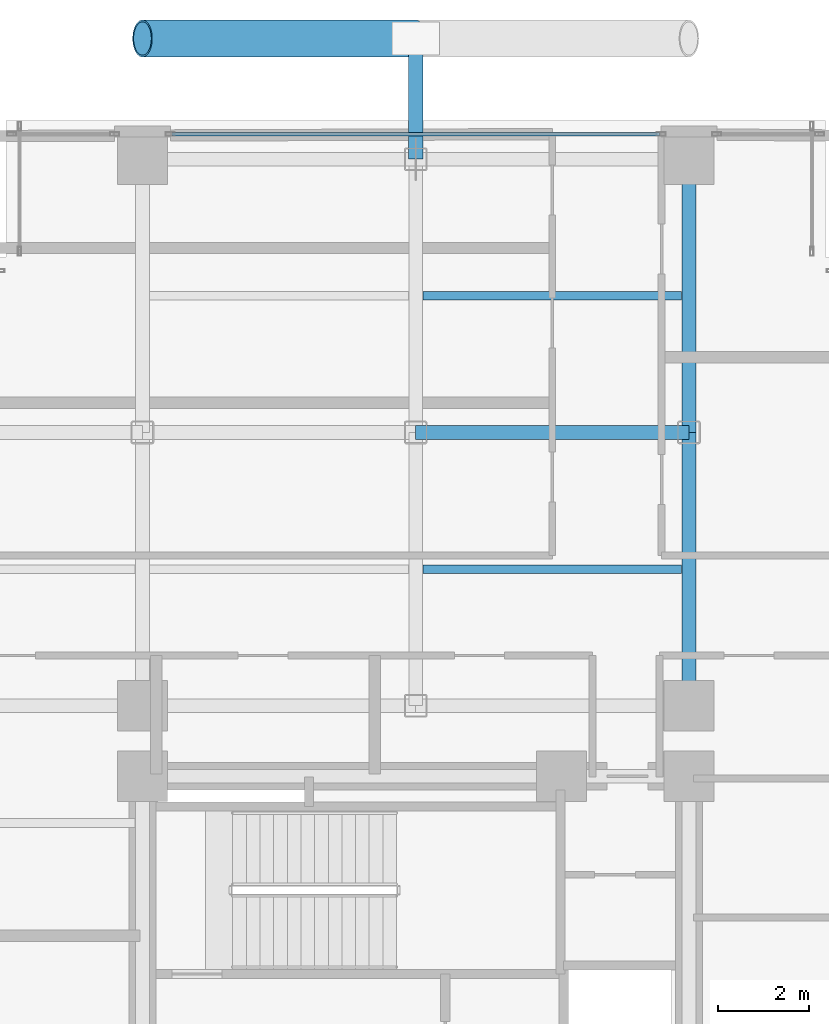
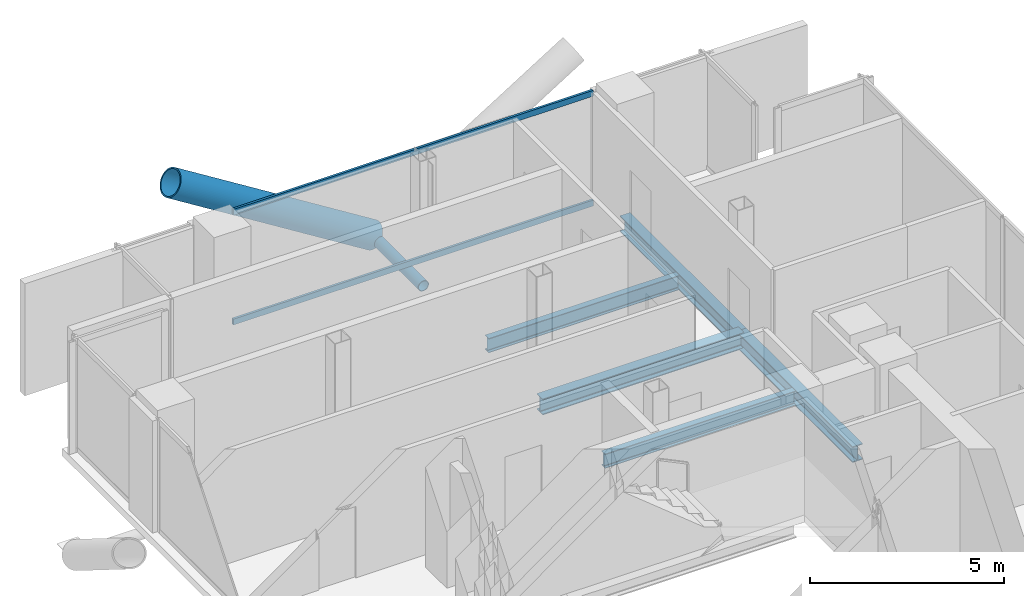
# One storey, part 15 of 24: 5 beams, 4 members, 1 element without a shape of its own.
"""IFC4 building model written with IfcOpenShell, lengths in metres."""

from ifc_helpers import new_model, si_unit, direction, frame, origin, origin_2d, place, context, subcontext, project, spatial, hollow_rectangle, hollow_circle, i_section, extrude, material, layer, layer_set, material_profile, profile_set, type_object, element, aggregate, save


model = new_model("IFC4")

# Units and contexts
model_context = context("Model", 3, precision=1e-05, world=origin(), true_north=direction((0.0, 1.0)))
body_context = subcontext(model_context, "Body", "Model", "MODEL_VIEW")
ifc_project = project(units=[si_unit("LENGTHUNIT", "METRE"), si_unit("AREAUNIT", "SQUARE_METRE"), si_unit("VOLUMEUNIT", "CUBIC_METRE"), si_unit("PLANEANGLEUNIT", "RADIAN"), si_unit("MASSUNIT", "GRAM", prefix="KILO"), si_unit("THERMODYNAMICTEMPERATUREUNIT", "KELVIN"), si_unit("POWERUNIT", "WATT")], contexts=[model_context])

# Site, building, storey
site_placement = place(None, origin())
site = spatial("IfcSite", under=ifc_project, at=site_placement, CompositionType="ELEMENT")
building_placement = place(site_placement, origin())
building = spatial("IfcBuilding", under=site, at=building_placement, Name="Svarakhadi Broadcast Tower", CompositionType="ELEMENT")
storey_placement = place(building_placement, frame((0.0, 0.0, 130.64990234375)))
storey = spatial("IfcBuildingStorey", under=building, at=storey_placement, Name="L31", CompositionType="ELEMENT", Elevation=130.64990234375)

# Beams
ifc_material_1 = material(Name="Steel S355J2 (IS 2062 E350C)", Category="steel")
ifc_material_profile_1 = material_profile(ifc_material_1, i_section(OverallWidth=0.18994140625, OverallDepth=0.449951171875, WebThickness=0.009521484375, FlangeThickness=0.0146484375, FilletRadius=0.02099609375, at=origin_2d()), Name="NPB 450x190x78")
ifc_profile_set_1 = profile_set([ifc_material_profile_1], Name="Steel S355J2 (IS 2062 E350C)")
beam_type_1 = type_object("IfcBeamType", Name="Beam_NPB450", PredefinedType="BEAM", material=ifc_profile_set_1)
for number, where, z_axis, x_axis, name in (
    (1, (12.159912109375, 32.14990234375, -0.449951171875), (1.0, 0.0, 0.0), (0.0, 1.0, 0.0), "L31 Secondary Composite Beam SB014"),
    (2, (12.159912109375, 38.14990234375, -0.449951171875), (1.0, 0.0, 0.0), (0.0, 1.0, 0.0), "L31 Secondary Composite Beam SB015"),
):
    element("IfcBeam", number, at=place(storey_placement, frame(where, z_axis=z_axis, x_axis=x_axis)), inside=storey, type_object=beam_type_1, Name=name, PredefinedType="BEAM", context=body_context, shape_type="SweptSolid", body=[
        extrude(i_section(OverallWidth=0.18994140625, OverallDepth=0.449951171875, WebThickness=0.009521484375, FlangeThickness=0.0146484375, FilletRadius=0.02099609375, at=origin_2d()), origin(), (0.0, 0.0, 1.0), 5.68017578125),
    ])

# Curtain wall, members
ifc_material_2 = material(Name="Anodised Bronze Aluminium AA 6063-T6", Category="aluminium")
ifc_layer = layer(ifc_material_2, 0.199951171875)
ifc_layer_set = layer_set([ifc_layer], Name="Anodised Bronze Aluminium AA 6063-T6")
curtain_wall_type = type_object("IfcCurtainWallType", Name="CW_Sys_03", PredefinedType="NOTDEFINED", material=ifc_layer_set)
curtain_wall_placement = place(storey_placement, origin())
curtain_wall = element("IfcCurtainWall", 3, at=curtain_wall_placement, inside=storey, type_object=curtain_wall_type, Name="L31 Unitised Facade Curtain Wall 06 Bay 2", PredefinedType="NOTDEFINED")
ifc_material_profile_2 = material_profile(ifc_material_2, hollow_rectangle(XDim=0.070068359375, YDim=0.18505859375, WallThickness=0.0048828125, at=origin_2d()), Name="ALU TRANSOM 185x70x5")
ifc_profile_set_2 = profile_set([ifc_material_profile_2], Name="Anodised Bronze Aluminium AA 6063-T6")
member_type_1 = type_object("IfcMemberType", Name="CW_Sys_03_Trn", PredefinedType="USERDEFINED", material=ifc_profile_set_2)
member_1_placement = place(storey_placement, frame((6.64501953125, 41.699951171875, 0.03515625), z_axis=(1.0, 0.0, 0.0), x_axis=(0.0, 1.0, 0.0)))
member_1 = element("IfcMember", 4, at=member_1_placement, type_object=member_type_1, Name="CW-03 transom 1.1", ObjectType="TRANSOM", PredefinedType="USERDEFINED", context=body_context, shape_type="SweptSolid", body=[
    extrude(hollow_rectangle(XDim=0.070068359375, YDim=0.18505859375, WallThickness=0.0048828125, at=origin_2d()), origin(), (0.0, 0.0, 1.0), 10.7099609375),
])
member_2_placement = place(storey_placement, frame((6.64501953125, 41.699951171875, 3.489990234375), z_axis=(1.0, 0.0, 0.0), x_axis=(0.0, 1.0, 0.0)))
member_2 = element("IfcMember", 5, at=member_2_placement, type_object=member_type_1, Name="CW-03 transom 1.2", ObjectType="TRANSOM", PredefinedType="USERDEFINED", context=body_context, shape_type="SweptSolid", body=[
    extrude(hollow_rectangle(XDim=0.070068359375, YDim=0.18505859375, WallThickness=0.0048828125, at=origin_2d()), origin(), (0.0, 0.0, 1.0), 10.7099609375),
])
aggregate(curtain_wall, [member_1, member_2])

# Members
ifc_material_3 = material(Name="Steel S460ML (IS 2062 E450BR)", Category="steel")
ifc_material_profile_3 = material_profile(ifc_material_3, hollow_circle(Radius=0.406494140625, WallThickness=0.0400390625, at=origin_2d()), Name="CHS 813x40")
ifc_profile_set_3 = profile_set([ifc_material_profile_3], Name="Steel S460ML (IS 2062 E450BR)")
member_type_2 = type_object("IfcMemberType", Name="Exo_Brace_CHS813", PredefinedType="BRACE", material=ifc_profile_set_3)
member_3_placement = place(storey_placement, frame((12.0, 43.800048828125, -0.386962890625), z_axis=(-0.847998304005, 0.0, 0.529998940003), x_axis=(0.0, -1.0, 0.0)))
element("IfcMember", 6, at=member_3_placement, inside=storey, type_object=member_type_2, Name="L31 Exposed Bronze Exoskeleton Diagonal N08", PredefinedType="BRACE", context=body_context, shape_type="SweptSolid", body=[
    extrude(hollow_circle(Radius=0.406494140625, WallThickness=0.0400390625, at=origin_2d()), origin(), (0.0, 0.0, 1.0), 7.075439453125),
])
ifc_material_profile_4 = material_profile(ifc_material_3, hollow_circle(Radius=0.161865234375, WallThickness=0.01611328125, at=origin_2d()), Name="CHS 323.9x16")
ifc_profile_set_4 = profile_set([ifc_material_profile_4], Name="Steel S460ML (IS 2062 E450BR)")
member_type_3 = type_object("IfcMemberType", Name="Exo_Radial_Strut_Z2", PredefinedType="STRUT", material=ifc_profile_set_4)
member_4_placement = place(storey_placement, frame((12.0, 43.800048828125, -0.386962890625), z_axis=(0.0, -1.0, 0.0), x_axis=(1.0, 0.0, 0.0)))
element("IfcMember", 7, at=member_4_placement, inside=storey, type_object=member_type_3, Name="L31 Exoskeleton Radial Tie Strut N06", PredefinedType="STRUT", context=body_context, shape_type="SweptSolid", body=[
    extrude(hollow_circle(Radius=0.161865234375, WallThickness=0.01611328125, at=origin_2d()), origin(), (0.0, 0.0, 1.0), 2.650146484375),
])

# Beams
ifc_material_profile_5 = material_profile(ifc_material_1, i_section(OverallWidth=0.300048828125, OverallDepth=0.5, WebThickness=0.014404296875, FlangeThickness=0.028076171875, FilletRadius=0.027099609375, at=origin_2d()), Name="WPB 500x300x187")
ifc_profile_set_5 = profile_set([ifc_material_profile_5], Name="Steel S355J2 (IS 2062 E350C)")
beam_type_2 = type_object("IfcBeamType", Name="Girder_WPB500", PredefinedType="USERDEFINED", material=ifc_profile_set_5)
for number, where, z_axis, x_axis, name in (
    (8, (12.0, 35.14990234375, -0.474853515625), (1.0, 0.0, 0.0), (0.0, 1.0, 0.0), "L31 Primary E-W Girder G037"),
    (9, (18.0, 29.14990234375, -0.474853515625), (0.0, 1.0, 0.0), (-1.0, 0.0, 0.0), "L31 Primary N-S Girder G060"),
    (10, (18.0, 35.14990234375, -0.474853515625), (0.0, 1.0, 0.0), (-1.0, 0.0, 0.0), "L31 Primary N-S Girder G061"),
):
    element("IfcBeam", number, at=place(storey_placement, frame(where, z_axis=z_axis, x_axis=x_axis)), inside=storey, type_object=beam_type_2, Name=name, ObjectType="GIRDER", PredefinedType="USERDEFINED", context=body_context, shape_type="SweptSolid", body=[
        extrude(i_section(OverallWidth=0.300048828125, OverallDepth=0.5, WebThickness=0.014404296875, FlangeThickness=0.028076171875, FilletRadius=0.027099609375, at=origin_2d()), origin(), (0.0, 0.0, 1.0), 6.0),
    ])

save(model, "model.ifc")
